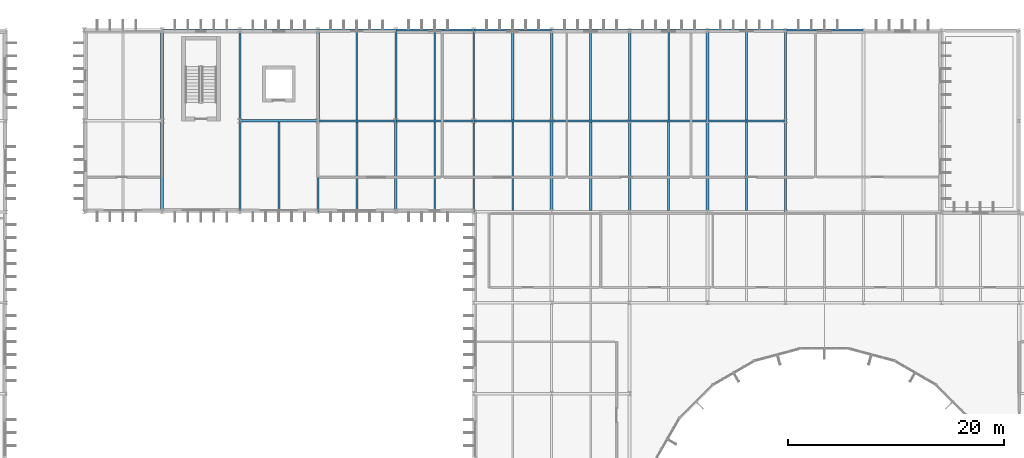
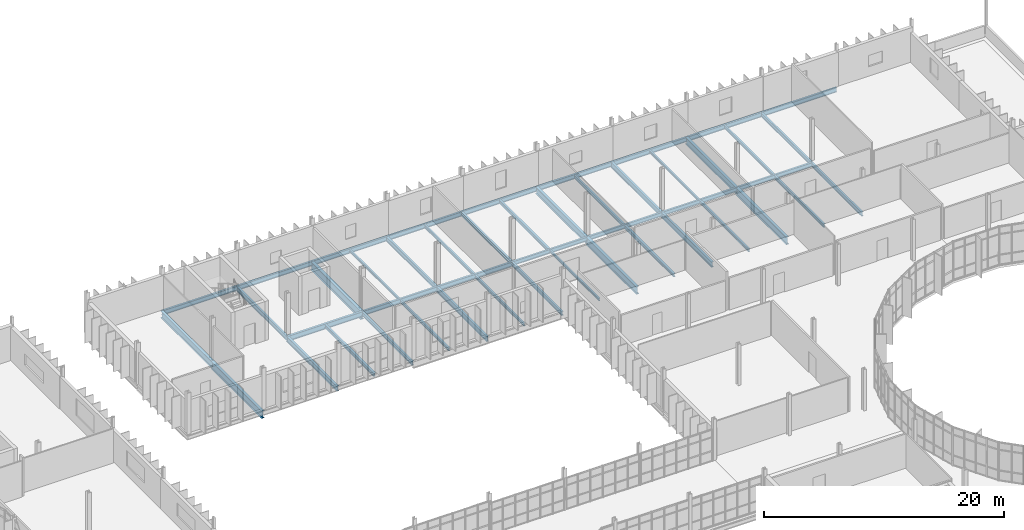
# One storey, part 57 of 119: 47 beams.
"""IFC4 building model written with IfcOpenShell, lengths in metres."""

from ifc_helpers import new_model, si_unit, direction, frame, origin, origin_2d, place, context, subcontext, project, spatial, i_section, extrude, material, material_profile, profile_set, type_object, element, save


model = new_model("IFC4")

# Units and contexts
model_context = context("Model", 3, precision=1e-05, world=origin(), true_north=direction((0.0, 1.0)))
body_context = subcontext(model_context, "Body", "Model", "MODEL_VIEW")
ifc_project = project(units=[si_unit("LENGTHUNIT", "METRE"), si_unit("AREAUNIT", "SQUARE_METRE"), si_unit("VOLUMEUNIT", "CUBIC_METRE"), si_unit("PLANEANGLEUNIT", "RADIAN"), si_unit("MASSUNIT", "GRAM", prefix="KILO")], contexts=[model_context])

# Site, building, storey
site_placement = place(None, origin())
site = spatial("IfcSite", under=ifc_project, at=site_placement, CompositionType="ELEMENT")
building_placement = place(site_placement, origin())
building = spatial("IfcBuilding", under=site, at=building_placement, Name="Qelthora Terrace Specialist Clinic", CompositionType="ELEMENT")
storey_placement = place(building_placement, frame((0.0, 0.0, 4.800048828125)))
storey = spatial("IfcBuildingStorey", under=building, at=storey_placement, Name="L01", CompositionType="ELEMENT", Elevation=4.800048828125)

# Beams
ifc_material = material(Name="Steel S355", Category="steel")
ifc_material_profile_1 = material_profile(ifc_material, i_section(OverallWidth=0.178955078125, OverallDepth=0.409912109375, WebThickness=0.0087890625, FlangeThickness=0.014404296875, FilletRadius=0.011962890625, at=origin_2d()), Name="W410X67")
ifc_profile_set_1 = profile_set([ifc_material_profile_1], Name="Steel S355")
beam_type_1 = type_object("IfcBeamType", Name="BM-W410X67", PredefinedType="BEAM", material=ifc_profile_set_1)
for number, where, z_axis, x_axis, name in (
    (1, (100.800048828125, 100.800048828125, -0.455078125), (1.0, 0.0, 0.0), (0.0, 1.0, 0.0), "Girder BMX-L01-0318"),
    (2, (115.199951171875, 100.800048828125, -0.455078125), (1.0, 0.0, 0.0), (0.0, 1.0, 0.0), "Girder BMX-L01-0320"),
):
    element("IfcBeam", number, at=place(storey_placement, frame(where, z_axis=z_axis, x_axis=x_axis)), inside=storey, type_object=beam_type_1, Name=name, PredefinedType="BEAM", context=body_context, shape_type="SweptSolid", body=[
        extrude(i_section(OverallWidth=0.178955078125, OverallDepth=0.409912109375, WebThickness=0.0087890625, FlangeThickness=0.014404296875, FilletRadius=0.011962890625, at=origin_2d()), origin(), (0.0, 0.0, 1.0), 7.199951171875),
    ])
beam_1_placement = place(storey_placement, frame((79.199951171875, 92.39990234375, -0.455078125), z_axis=(0.0, 1.0, 0.0), x_axis=(-1.0, 0.0, 0.0)))
element("IfcBeam", 3, at=beam_1_placement, inside=storey, type_object=beam_type_1, Name="Girder BMY-L01-0440", PredefinedType="BEAM", context=body_context, shape_type="SweptSolid", body=[
    extrude(i_section(OverallWidth=0.178955078125, OverallDepth=0.409912109375, WebThickness=0.0087890625, FlangeThickness=0.014404296875, FilletRadius=0.011962890625, at=origin_2d()), origin(), (0.0, 0.0, 1.0), 8.400146484375),
])
for number, where, z_axis, x_axis, name in (
    (4, (93.60009765625, 100.800048828125, -0.455078125), (0.0, 1.0, 0.0), (-1.0, 0.0, 0.0), "Girder BMY-L01-0460"),
    (5, (122.39990234375, 100.800048828125, -0.455078125), (0.0, 1.0, 0.0), (-1.0, 0.0, 0.0), "Girder BMY-L01-0500"),
):
    element("IfcBeam", number, at=place(storey_placement, frame(where, z_axis=z_axis, x_axis=x_axis)), inside=storey, type_object=beam_type_1, Name=name, PredefinedType="BEAM", context=body_context, shape_type="SweptSolid", body=[
        extrude(i_section(OverallWidth=0.178955078125, OverallDepth=0.409912109375, WebThickness=0.0087890625, FlangeThickness=0.014404296875, FilletRadius=0.011962890625, at=origin_2d()), origin(), (0.0, 0.0, 1.0), 8.39990234375),
    ])
ifc_material_profile_2 = material_profile(ifc_material, i_section(OverallWidth=0.179931640625, OverallDepth=0.4130859375, WebThickness=0.009765625, FlangeThickness=0.01611328125, FilletRadius=0.011962890625, at=origin_2d()), Name="W410X75")
ifc_profile_set_2 = profile_set([ifc_material_profile_2], Name="Steel S355")
beam_type_2 = type_object("IfcBeamType", Name="BM-W410X75", PredefinedType="BEAM", material=ifc_profile_set_2)
for number, where, z_axis, x_axis, name in (
    (6, (93.60009765625, 100.800048828125, -0.45654296875), (1.0, 0.0, 0.0), (0.0, 1.0, 0.0), "Girder BMX-L01-0317"),
    (7, (108.0, 100.800048828125, -0.45654296875), (1.0, 0.0, 0.0), (0.0, 1.0, 0.0), "Girder BMX-L01-0319"),
):
    element("IfcBeam", number, at=place(storey_placement, frame(where, z_axis=z_axis, x_axis=x_axis)), inside=storey, type_object=beam_type_2, Name=name, PredefinedType="BEAM", context=body_context, shape_type="SweptSolid", body=[
        extrude(i_section(OverallWidth=0.179931640625, OverallDepth=0.4130859375, WebThickness=0.009765625, FlangeThickness=0.01611328125, FilletRadius=0.011962890625, at=origin_2d()), origin(), (0.0, 0.0, 1.0), 7.199951171875),
    ])
for number, where, z_axis, x_axis, name in (
    (8, (93.60009765625, 92.39990234375, -0.45654296875), (0.0, 1.0, 0.0), (-1.0, 0.0, 0.0), "Girder BMY-L01-0459"),
    (9, (122.39990234375, 92.39990234375, -0.45654296875), (0.0, 1.0, 0.0), (-1.0, 0.0, 0.0), "Girder BMY-L01-0499"),
):
    element("IfcBeam", number, at=place(storey_placement, frame(where, z_axis=z_axis, x_axis=x_axis)), inside=storey, type_object=beam_type_2, Name=name, PredefinedType="BEAM", context=body_context, shape_type="SweptSolid", body=[
        extrude(i_section(OverallWidth=0.179931640625, OverallDepth=0.4130859375, WebThickness=0.009765625, FlangeThickness=0.01611328125, FilletRadius=0.011962890625, at=origin_2d()), origin(), (0.0, 0.0, 1.0), 8.400146484375),
    ])
ifc_material_profile_3 = material_profile(ifc_material, i_section(OverallWidth=0.19091796875, OverallDepth=0.4599609375, WebThickness=0.010009765625, FlangeThickness=0.01611328125, FilletRadius=0.012939453125, at=origin_2d()), Name="W460X82")
ifc_profile_set_3 = profile_set([ifc_material_profile_3], Name="Steel S355")
beam_type_3 = type_object("IfcBeamType", Name="BM-W460X82", PredefinedType="BEAM", material=ifc_profile_set_3)
beam_2_placement = place(storey_placement, frame((86.39990234375, 100.800048828125, -0.47998046875), z_axis=(1.0, 0.0, 0.0), x_axis=(0.0, 1.0, 0.0)))
element("IfcBeam", 10, at=beam_2_placement, inside=storey, type_object=beam_type_3, Name="Girder BMX-L01-0316", PredefinedType="BEAM", context=body_context, shape_type="SweptSolid", body=[
    extrude(i_section(OverallWidth=0.19091796875, OverallDepth=0.4599609375, WebThickness=0.010009765625, FlangeThickness=0.01611328125, FilletRadius=0.012939453125, at=origin_2d()), origin(), (0.0, 0.0, 1.0), 7.2001953125),
])
ifc_material_profile_4 = material_profile(ifc_material, i_section(OverallWidth=0.193115234375, OverallDepth=0.466064453125, WebThickness=0.011474609375, FlangeThickness=0.01904296875, FilletRadius=0.012939453125, at=origin_2d()), Name="W460X97")
ifc_profile_set_4 = profile_set([ifc_material_profile_4], Name="Steel S355")
beam_type_4 = type_object("IfcBeamType", Name="BM-W460X97", PredefinedType="BEAM", material=ifc_profile_set_4)
beam_3_placement = place(storey_placement, frame((79.199951171875, 100.800048828125, -0.483154296875), z_axis=(1.0, 0.0, 0.0), x_axis=(0.0, 1.0, 0.0)))
element("IfcBeam", 11, at=beam_3_placement, inside=storey, type_object=beam_type_4, Name="Girder BMX-L01-0315", PredefinedType="BEAM", context=body_context, shape_type="SweptSolid", body=[
    extrude(i_section(OverallWidth=0.193115234375, OverallDepth=0.466064453125, WebThickness=0.011474609375, FlangeThickness=0.01904296875, FilletRadius=0.012939453125, at=origin_2d()), origin(), (0.0, 0.0, 1.0), 7.199951171875),
])
for number, where, z_axis, x_axis, name in (
    (12, (72.0, 100.800048828125, -0.483154296875), (0.0, 1.0, 0.0), (-1.0, 0.0, 0.0), "Girder BMY-L01-0437"),
    (13, (86.39990234375, 100.800048828125, -0.483154296875), (0.0, 1.0, 0.0), (-1.0, 0.0, 0.0), "Girder BMY-L01-0447"),
):
    element("IfcBeam", number, at=place(storey_placement, frame(where, z_axis=z_axis, x_axis=x_axis)), inside=storey, type_object=beam_type_4, Name=name, PredefinedType="BEAM", context=body_context, shape_type="SweptSolid", body=[
        extrude(i_section(OverallWidth=0.193115234375, OverallDepth=0.466064453125, WebThickness=0.011474609375, FlangeThickness=0.01904296875, FilletRadius=0.012939453125, at=origin_2d()), origin(), (0.0, 0.0, 1.0), 8.39990234375),
    ])
ifc_material_profile_5 = material_profile(ifc_material, i_section(OverallWidth=0.2099609375, OverallDepth=0.537109375, WebThickness=0.010986328125, FlangeThickness=0.017333984375, FilletRadius=0.013916015625, at=origin_2d()), Name="W530X101")
ifc_profile_set_5 = profile_set([ifc_material_profile_5], Name="Steel S355")
beam_type_5 = type_object("IfcBeamType", Name="BM-W530X101", PredefinedType="BEAM", material=ifc_profile_set_5)
beam_4_placement = place(storey_placement, frame((72.0, 100.800048828125, -0.5185546875), z_axis=(1.0, 0.0, 0.0), x_axis=(0.0, 1.0, 0.0)))
element("IfcBeam", 14, at=beam_4_placement, inside=storey, type_object=beam_type_5, Name="Girder BMX-L01-0314", PredefinedType="BEAM", context=body_context, shape_type="SweptSolid", body=[
    extrude(i_section(OverallWidth=0.2099609375, OverallDepth=0.537109375, WebThickness=0.010986328125, FlangeThickness=0.017333984375, FilletRadius=0.013916015625, at=origin_2d()), origin(), (0.0, 0.0, 1.0), 7.199951171875),
])
for number, where, z_axis, x_axis, name in (
    (15, (72.0, 92.39990234375, -0.5185546875), (0.0, 1.0, 0.0), (-1.0, 0.0, 0.0), "Girder BMY-L01-0436"),
    (16, (86.39990234375, 92.39990234375, -0.5185546875), (0.0, 1.0, 0.0), (-1.0, 0.0, 0.0), "Girder BMY-L01-0446"),
):
    element("IfcBeam", number, at=place(storey_placement, frame(where, z_axis=z_axis, x_axis=x_axis)), inside=storey, type_object=beam_type_5, Name=name, PredefinedType="BEAM", context=body_context, shape_type="SweptSolid", body=[
        extrude(i_section(OverallWidth=0.2099609375, OverallDepth=0.537109375, WebThickness=0.010986328125, FlangeThickness=0.017333984375, FilletRadius=0.013916015625, at=origin_2d()), origin(), (0.0, 0.0, 1.0), 8.400146484375),
    ])
beam_5_placement = place(storey_placement, frame((108.0, 100.800048828125, -0.5185546875), z_axis=(0.0, 1.0, 0.0), x_axis=(-1.0, 0.0, 0.0)))
element("IfcBeam", 17, at=beam_5_placement, inside=storey, type_object=beam_type_5, Name="Girder BMY-L01-0486", PredefinedType="BEAM", context=body_context, shape_type="SweptSolid", body=[
    extrude(i_section(OverallWidth=0.2099609375, OverallDepth=0.537109375, WebThickness=0.010986328125, FlangeThickness=0.017333984375, FilletRadius=0.013916015625, at=origin_2d()), origin(), (0.0, 0.0, 1.0), 8.39990234375),
])
ifc_material_profile_6 = material_profile(ifc_material, i_section(OverallWidth=0.2119140625, OverallDepth=0.5439453125, WebThickness=0.01318359375, FlangeThickness=0.021240234375, FilletRadius=0.013916015625, at=origin_2d()), Name="W530X123")
ifc_profile_set_6 = profile_set([ifc_material_profile_6], Name="Steel S355")
beam_type_6 = type_object("IfcBeamType", Name="BM-W530X123", PredefinedType="BEAM", material=ifc_profile_set_6)
beam_6_placement = place(storey_placement, frame((108.0, 92.39990234375, -0.52197265625), z_axis=(0.0, 1.0, 0.0), x_axis=(-1.0, 0.0, 0.0)))
element("IfcBeam", 18, at=beam_6_placement, inside=storey, type_object=beam_type_6, Name="Girder BMY-L01-0485", PredefinedType="BEAM", context=body_context, shape_type="SweptSolid", body=[
    extrude(i_section(OverallWidth=0.2119140625, OverallDepth=0.5439453125, WebThickness=0.01318359375, FlangeThickness=0.021240234375, FilletRadius=0.013916015625, at=origin_2d()), origin(), (0.0, 0.0, 1.0), 8.400146484375),
])
ifc_material_profile_7 = material_profile(ifc_material, i_section(OverallWidth=0.256103515625, OverallDepth=0.693115234375, WebThickness=0.014404296875, FlangeThickness=0.023681640625, FilletRadius=0.01806640625, at=origin_2d()), Name="W690X170")
ifc_profile_set_7 = profile_set([ifc_material_profile_7], Name="Steel S355")
beam_type_7 = type_object("IfcBeamType", Name="BM-W690X170", PredefinedType="BEAM", material=ifc_profile_set_7)
for number, where, z_axis, x_axis, name in (
    (19, (64.800048828125, 100.800048828125, -0.596435546875), (0.0, 1.0, 0.0), (-1.0, 0.0, 0.0), "Girder BMY-L01-0433"),
    (20, (100.800048828125, 100.800048828125, -0.596435546875), (0.0, 1.0, 0.0), (-1.0, 0.0, 0.0), "Girder BMY-L01-0473"),
    (21, (115.199951171875, 100.800048828125, -0.596435546875), (0.0, 1.0, 0.0), (-1.0, 0.0, 0.0), "Girder BMY-L01-0493"),
):
    element("IfcBeam", number, at=place(storey_placement, frame(where, z_axis=z_axis, x_axis=x_axis)), inside=storey, type_object=beam_type_7, Name=name, PredefinedType="BEAM", context=body_context, shape_type="SweptSolid", body=[
        extrude(i_section(OverallWidth=0.256103515625, OverallDepth=0.693115234375, WebThickness=0.014404296875, FlangeThickness=0.023681640625, FilletRadius=0.01806640625, at=origin_2d()), origin(), (0.0, 0.0, 1.0), 8.39990234375),
    ])
ifc_material_profile_8 = material_profile(ifc_material, i_section(OverallWidth=0.26806640625, OverallDepth=0.77001953125, WebThickness=0.015625, FlangeThickness=0.025390625, FilletRadius=0.01904296875, at=origin_2d()), Name="W760X196")
ifc_profile_set_8 = profile_set([ifc_material_profile_8], Name="Steel S355")
beam_type_8 = type_object("IfcBeamType", Name="BM-W760X196", PredefinedType="BEAM", material=ifc_profile_set_8)
for number, where, z_axis, x_axis, name in (
    (22, (64.800048828125, 92.39990234375, -0.635009765625), (0.0, 1.0, 0.0), (-1.0, 0.0, 0.0), "Girder BMY-L01-0432"),
    (23, (100.800048828125, 92.39990234375, -0.635009765625), (0.0, 1.0, 0.0), (-1.0, 0.0, 0.0), "Girder BMY-L01-0472"),
    (24, (115.199951171875, 92.39990234375, -0.635009765625), (0.0, 1.0, 0.0), (-1.0, 0.0, 0.0), "Girder BMY-L01-0492"),
):
    element("IfcBeam", number, at=place(storey_placement, frame(where, z_axis=z_axis, x_axis=x_axis)), inside=storey, type_object=beam_type_8, Name=name, PredefinedType="BEAM", context=body_context, shape_type="SweptSolid", body=[
        extrude(i_section(OverallWidth=0.26806640625, OverallDepth=0.77001953125, WebThickness=0.015625, FlangeThickness=0.025390625, FilletRadius=0.01904296875, at=origin_2d()), origin(), (0.0, 0.0, 1.0), 8.400146484375),
    ])
ifc_material_profile_9 = material_profile(ifc_material, i_section(OverallWidth=0.2939453125, OverallDepth=0.85107421875, WebThickness=0.01611328125, FlangeThickness=0.02685546875, FilletRadius=0.02001953125, at=origin_2d()), Name="W840X226")
ifc_profile_set_9 = profile_set([ifc_material_profile_9], Name="Steel S355")
beam_type_9 = type_object("IfcBeamType", Name="BM-W840X226", PredefinedType="BEAM", material=ifc_profile_set_9)
beam_7_placement = place(storey_placement, frame((79.199951171875, 100.800048828125, -0.675537109375), z_axis=(0.0, 1.0, 0.0), x_axis=(-1.0, 0.0, 0.0)))
element("IfcBeam", 25, at=beam_7_placement, inside=storey, type_object=beam_type_9, Name="Girder BMY-L01-0441", PredefinedType="BEAM", context=body_context, shape_type="SweptSolid", body=[
    extrude(i_section(OverallWidth=0.2939453125, OverallDepth=0.85107421875, WebThickness=0.01611328125, FlangeThickness=0.02685546875, FilletRadius=0.02001953125, at=origin_2d()), origin(), (0.0, 0.0, 1.0), 8.39990234375),
])
ifc_material_profile_10 = material_profile(ifc_material, i_section(OverallWidth=0.14599609375, OverallDepth=0.258056640625, WebThickness=0.006103515625, FlangeThickness=0.009033203125, FilletRadius=0.009033203125, at=origin_2d()), Name="W250X33")
ifc_profile_set_10 = profile_set([ifc_material_profile_10], Name="Steel S355")
beam_type_10 = type_object("IfcBeamType", Name="JST-W250X33", PredefinedType="JOIST", material=ifc_profile_set_10)
beam_8_placement = place(storey_placement, frame((97.199951171875, 92.514892578125, -0.379150390625), z_axis=(0.0, 1.0, 0.0), x_axis=(-1.0, 0.0, 0.0)))
element("IfcBeam", 26, at=beam_8_placement, inside=storey, type_object=beam_type_10, Name="Composite floor joist JST-L01-0114", PredefinedType="JOIST", context=body_context, shape_type="SweptSolid", body=[
    extrude(i_section(OverallWidth=0.14599609375, OverallDepth=0.258056640625, WebThickness=0.006103515625, FlangeThickness=0.009033203125, FilletRadius=0.009033203125, at=origin_2d()), origin(), (0.0, 0.0, 1.0), 8.195068359375),
])
ifc_material_profile_11 = material_profile(ifc_material, i_section(OverallWidth=0.14697265625, OverallDepth=0.261962890625, WebThickness=0.006591796875, FlangeThickness=0.01123046875, FilletRadius=0.009033203125, at=origin_2d()), Name="W250X39")
ifc_profile_set_11 = profile_set([ifc_material_profile_11], Name="Steel S355")
beam_type_11 = type_object("IfcBeamType", Name="JST-W250X39", PredefinedType="JOIST", material=ifc_profile_set_11)
beam_9_placement = place(storey_placement, frame((82.800048828125, 100.896484375, -0.381103515625), z_axis=(0.0, 1.0, 0.0), x_axis=(-1.0, 0.0, 0.0)))
element("IfcBeam", 27, at=beam_9_placement, inside=storey, type_object=beam_type_11, Name="Composite floor joist JST-L01-0101", PredefinedType="JOIST", context=body_context, shape_type="SweptSolid", body=[
    extrude(i_section(OverallWidth=0.14697265625, OverallDepth=0.261962890625, WebThickness=0.006591796875, FlangeThickness=0.01123046875, FilletRadius=0.009033203125, at=origin_2d()), origin(), (0.0, 0.0, 1.0), 8.2080078125),
])
beam_10_placement = place(storey_placement, frame((111.60009765625, 100.889892578125, -0.381103515625), z_axis=(0.0, 1.0, 0.0), x_axis=(-1.0, 0.0, 0.0)))
element("IfcBeam", 28, at=beam_10_placement, inside=storey, type_object=beam_type_11, Name="Composite floor joist JST-L01-0125", PredefinedType="JOIST", context=body_context, shape_type="SweptSolid", body=[
    extrude(i_section(OverallWidth=0.14697265625, OverallDepth=0.261962890625, WebThickness=0.006591796875, FlangeThickness=0.01123046875, FilletRadius=0.009033203125, at=origin_2d()), origin(), (0.0, 0.0, 1.0), 8.214599609375),
])
ifc_material_profile_12 = material_profile(ifc_material, i_section(OverallWidth=0.166015625, OverallDepth=0.31298828125, WebThickness=0.006591796875, FlangeThickness=0.01123046875, FilletRadius=0.010009765625, at=origin_2d()), Name="W310X45")
ifc_profile_set_12 = profile_set([ifc_material_profile_12], Name="Steel S355")
beam_type_12 = type_object("IfcBeamType", Name="JST-W310X45", PredefinedType="JOIST", material=ifc_profile_set_12)
beam_11_placement = place(storey_placement, frame((82.800048828125, 92.528076171875, -0.406494140625), z_axis=(0.0, 1.0, 0.0), x_axis=(-1.0, 0.0, 0.0)))
element("IfcBeam", 29, at=beam_11_placement, inside=storey, type_object=beam_type_12, Name="Composite floor joist JST-L01-0100", PredefinedType="JOIST", context=body_context, shape_type="SweptSolid", body=[
    extrude(i_section(OverallWidth=0.166015625, OverallDepth=0.31298828125, WebThickness=0.006591796875, FlangeThickness=0.01123046875, FilletRadius=0.010009765625, at=origin_2d()), origin(), (0.0, 0.0, 1.0), 8.175537109375),
])
beam_12_placement = place(storey_placement, frame((90.0, 100.8955078125, -0.406494140625), z_axis=(0.0, 1.0, 0.0), x_axis=(-1.0, 0.0, 0.0)))
element("IfcBeam", 30, at=beam_12_placement, inside=storey, type_object=beam_type_12, Name="Composite floor joist JST-L01-0106", PredefinedType="JOIST", context=body_context, shape_type="SweptSolid", body=[
    extrude(i_section(OverallWidth=0.166015625, OverallDepth=0.31298828125, WebThickness=0.006591796875, FlangeThickness=0.01123046875, FilletRadius=0.010009765625, at=origin_2d()), origin(), (0.0, 0.0, 1.0), 8.208984375),
])
beam_13_placement = place(storey_placement, frame((111.60009765625, 92.506103515625, -0.406494140625), z_axis=(0.0, 1.0, 0.0), x_axis=(-1.0, 0.0, 0.0)))
element("IfcBeam", 31, at=beam_13_placement, inside=storey, type_object=beam_type_12, Name="Composite floor joist JST-L01-0124", PredefinedType="JOIST", context=body_context, shape_type="SweptSolid", body=[
    extrude(i_section(OverallWidth=0.166015625, OverallDepth=0.31298828125, WebThickness=0.006591796875, FlangeThickness=0.01123046875, FilletRadius=0.010009765625, at=origin_2d()), origin(), (0.0, 0.0, 1.0), 8.203857421875),
])
ifc_material_profile_13 = material_profile(ifc_material, i_section(OverallWidth=0.1669921875, OverallDepth=0.31689453125, WebThickness=0.007568359375, FlangeThickness=0.01318359375, FilletRadius=0.010009765625, at=origin_2d()), Name="W310X52")
ifc_profile_set_13 = profile_set([ifc_material_profile_13], Name="Steel S355")
beam_type_13 = type_object("IfcBeamType", Name="JST-W310X52", PredefinedType="JOIST", material=ifc_profile_set_13)
beam_14_placement = place(storey_placement, frame((90.0, 92.527099609375, -0.408447265625), z_axis=(0.0, 1.0, 0.0), x_axis=(-1.0, 0.0, 0.0)))
element("IfcBeam", 32, at=beam_14_placement, inside=storey, type_object=beam_type_13, Name="Composite floor joist JST-L01-0105", PredefinedType="JOIST", context=body_context, shape_type="SweptSolid", body=[
    extrude(i_section(OverallWidth=0.1669921875, OverallDepth=0.31689453125, WebThickness=0.007568359375, FlangeThickness=0.01318359375, FilletRadius=0.010009765625, at=origin_2d()), origin(), (0.0, 0.0, 1.0), 8.177490234375),
])
beam_15_placement = place(storey_placement, frame((118.800048828125, 100.889404296875, -0.408447265625), z_axis=(0.0, 1.0, 0.0), x_axis=(-1.0, 0.0, 0.0)))
element("IfcBeam", 33, at=beam_15_placement, inside=storey, type_object=beam_type_13, Name="Composite floor joist JST-L01-0129", PredefinedType="JOIST", context=body_context, shape_type="SweptSolid", body=[
    extrude(i_section(OverallWidth=0.1669921875, OverallDepth=0.31689453125, WebThickness=0.007568359375, FlangeThickness=0.01318359375, FilletRadius=0.010009765625, at=origin_2d()), origin(), (0.0, 0.0, 1.0), 8.215087890625),
])
ifc_material_profile_14 = material_profile(ifc_material, i_section(OverallWidth=0.172119140625, OverallDepth=0.35791015625, WebThickness=0.0078125, FlangeThickness=0.01318359375, FilletRadius=0.010986328125, at=origin_2d()), Name="W360X57")
ifc_profile_set_14 = profile_set([ifc_material_profile_14], Name="Steel S355")
beam_type_14 = type_object("IfcBeamType", Name="JST-W360X57", PredefinedType="JOIST", material=ifc_profile_set_14)
beam_16_placement = place(storey_placement, frame((104.39990234375, 100.889404296875, -0.428955078125), z_axis=(0.0, 1.0, 0.0), x_axis=(-1.0, 0.0, 0.0)))
element("IfcBeam", 34, at=beam_16_placement, inside=storey, type_object=beam_type_14, Name="Composite floor joist JST-L01-0122", PredefinedType="JOIST", context=body_context, shape_type="SweptSolid", body=[
    extrude(i_section(OverallWidth=0.172119140625, OverallDepth=0.35791015625, WebThickness=0.0078125, FlangeThickness=0.01318359375, FilletRadius=0.010986328125, at=origin_2d()), origin(), (0.0, 0.0, 1.0), 8.215087890625),
])
beam_17_placement = place(storey_placement, frame((118.800048828125, 92.5048828125, -0.428955078125), z_axis=(0.0, 1.0, 0.0), x_axis=(-1.0, 0.0, 0.0)))
element("IfcBeam", 35, at=beam_17_placement, inside=storey, type_object=beam_type_14, Name="Composite floor joist JST-L01-0128", PredefinedType="JOIST", context=body_context, shape_type="SweptSolid", body=[
    extrude(i_section(OverallWidth=0.172119140625, OverallDepth=0.35791015625, WebThickness=0.0078125, FlangeThickness=0.01318359375, FilletRadius=0.010986328125, at=origin_2d()), origin(), (0.0, 0.0, 1.0), 8.20556640625),
])
ifc_material_profile_15 = material_profile(ifc_material, i_section(OverallWidth=0.202880859375, OverallDepth=0.346923828125, WebThickness=0.0078125, FlangeThickness=0.013427734375, FilletRadius=0.010986328125, at=origin_2d()), Name="W360X64")
ifc_profile_set_15 = profile_set([ifc_material_profile_15], Name="Steel S355")
beam_type_15 = type_object("IfcBeamType", Name="JST-W360X64", PredefinedType="JOIST", material=ifc_profile_set_15)
beam_18_placement = place(storey_placement, frame((75.60009765625, 92.489501953125, -0.423583984375), z_axis=(0.0, 1.0, 0.0), x_axis=(-1.0, 0.0, 0.0)))
element("IfcBeam", 36, at=beam_18_placement, inside=storey, type_object=beam_type_15, Name="Composite floor joist JST-L01-0097", PredefinedType="JOIST", context=body_context, shape_type="SweptSolid", body=[
    extrude(i_section(OverallWidth=0.202880859375, OverallDepth=0.346923828125, WebThickness=0.0078125, FlangeThickness=0.013427734375, FilletRadius=0.010986328125, at=origin_2d()), origin(), (0.0, 0.0, 1.0), 8.20556640625),
])
beam_19_placement = place(storey_placement, frame((97.199951171875, 100.889892578125, -0.423583984375), z_axis=(0.0, 1.0, 0.0), x_axis=(-1.0, 0.0, 0.0)))
element("IfcBeam", 37, at=beam_19_placement, inside=storey, type_object=beam_type_15, Name="Composite floor joist JST-L01-0115", PredefinedType="JOIST", context=body_context, shape_type="SweptSolid", body=[
    extrude(i_section(OverallWidth=0.202880859375, OverallDepth=0.346923828125, WebThickness=0.0078125, FlangeThickness=0.013427734375, FilletRadius=0.010986328125, at=origin_2d()), origin(), (0.0, 0.0, 1.0), 8.214599609375),
])
beam_20_placement = place(storey_placement, frame((104.39990234375, 92.514404296875, -0.423583984375), z_axis=(0.0, 1.0, 0.0), x_axis=(-1.0, 0.0, 0.0)))
element("IfcBeam", 38, at=beam_20_placement, inside=storey, type_object=beam_type_15, Name="Composite floor joist JST-L01-0121", PredefinedType="JOIST", context=body_context, shape_type="SweptSolid", body=[
    extrude(i_section(OverallWidth=0.202880859375, OverallDepth=0.346923828125, WebThickness=0.0078125, FlangeThickness=0.013427734375, FilletRadius=0.010986328125, at=origin_2d()), origin(), (0.0, 0.0, 1.0), 8.196044921875),
])
ifc_material_profile_16 = material_profile(ifc_material, i_section(OverallWidth=0.19091796875, OverallDepth=0.4599609375, WebThickness=0.010009765625, FlangeThickness=0.01611328125, FilletRadius=0.012939453125, at=origin_2d()), Name="W460X82")
ifc_profile_set_16 = profile_set([ifc_material_profile_16], Name="Steel S355")
beam_type_16 = type_object("IfcBeamType", Name="SPD-W460X82", PredefinedType="SPANDREL", material=ifc_profile_set_16)
for number, where, z_axis, x_axis, name in (
    (39, (64.800048828125, 109.199951171875, -0.47998046875), (1.0, 0.0, 0.0), (0.0, 1.0, 0.0), "Girder BMX-L01-0329"),
    (40, (72.0, 109.199951171875, -0.47998046875), (1.0, 0.0, 0.0), (0.0, 1.0, 0.0), "Girder BMX-L01-0330"),
    (41, (79.199951171875, 109.199951171875, -0.47998046875), (1.0, 0.0, 0.0), (0.0, 1.0, 0.0), "Girder BMX-L01-0331"),
):
    element("IfcBeam", number, at=place(storey_placement, frame(where, z_axis=z_axis, x_axis=x_axis)), inside=storey, type_object=beam_type_16, Name=name, PredefinedType="SPANDREL", context=body_context, shape_type="SweptSolid", body=[
        extrude(i_section(OverallWidth=0.19091796875, OverallDepth=0.4599609375, WebThickness=0.010009765625, FlangeThickness=0.01611328125, FilletRadius=0.012939453125, at=origin_2d()), origin(), (0.0, 0.0, 1.0), 7.199951171875),
    ])
beam_21_placement = place(storey_placement, frame((86.39990234375, 109.199951171875, -0.47998046875), z_axis=(1.0, 0.0, 0.0), x_axis=(0.0, 1.0, 0.0)))
element("IfcBeam", 42, at=beam_21_placement, inside=storey, type_object=beam_type_16, Name="Girder BMX-L01-0332", PredefinedType="SPANDREL", context=body_context, shape_type="SweptSolid", body=[
    extrude(i_section(OverallWidth=0.19091796875, OverallDepth=0.4599609375, WebThickness=0.010009765625, FlangeThickness=0.01611328125, FilletRadius=0.012939453125, at=origin_2d()), origin(), (0.0, 0.0, 1.0), 7.2001953125),
])
for number, where, z_axis, x_axis, name in (
    (43, (93.60009765625, 109.199951171875, -0.47998046875), (1.0, 0.0, 0.0), (0.0, 1.0, 0.0), "Girder BMX-L01-0333"),
    (44, (100.800048828125, 109.199951171875, -0.47998046875), (1.0, 0.0, 0.0), (0.0, 1.0, 0.0), "Girder BMX-L01-0334"),
    (45, (108.0, 109.199951171875, -0.47998046875), (1.0, 0.0, 0.0), (0.0, 1.0, 0.0), "Girder BMX-L01-0335"),
    (46, (115.199951171875, 109.199951171875, -0.47998046875), (1.0, 0.0, 0.0), (0.0, 1.0, 0.0), "Girder BMX-L01-0336"),
):
    element("IfcBeam", number, at=place(storey_placement, frame(where, z_axis=z_axis, x_axis=x_axis)), inside=storey, type_object=beam_type_16, Name=name, PredefinedType="SPANDREL", context=body_context, shape_type="SweptSolid", body=[
        extrude(i_section(OverallWidth=0.19091796875, OverallDepth=0.4599609375, WebThickness=0.010009765625, FlangeThickness=0.01611328125, FilletRadius=0.012939453125, at=origin_2d()), origin(), (0.0, 0.0, 1.0), 7.199951171875),
    ])
beam_22_placement = place(storey_placement, frame((122.39990234375, 109.199951171875, -0.47998046875), z_axis=(1.0, 0.0, 0.0), x_axis=(0.0, 1.0, 0.0)))
element("IfcBeam", 47, at=beam_22_placement, inside=storey, type_object=beam_type_16, Name="Girder BMX-L01-0337", PredefinedType="SPANDREL", context=body_context, shape_type="SweptSolid", body=[
    extrude(i_section(OverallWidth=0.19091796875, OverallDepth=0.4599609375, WebThickness=0.010009765625, FlangeThickness=0.01611328125, FilletRadius=0.012939453125, at=origin_2d()), origin(), (0.0, 0.0, 1.0), 7.2001953125),
])

save(model, "model.ifc")
